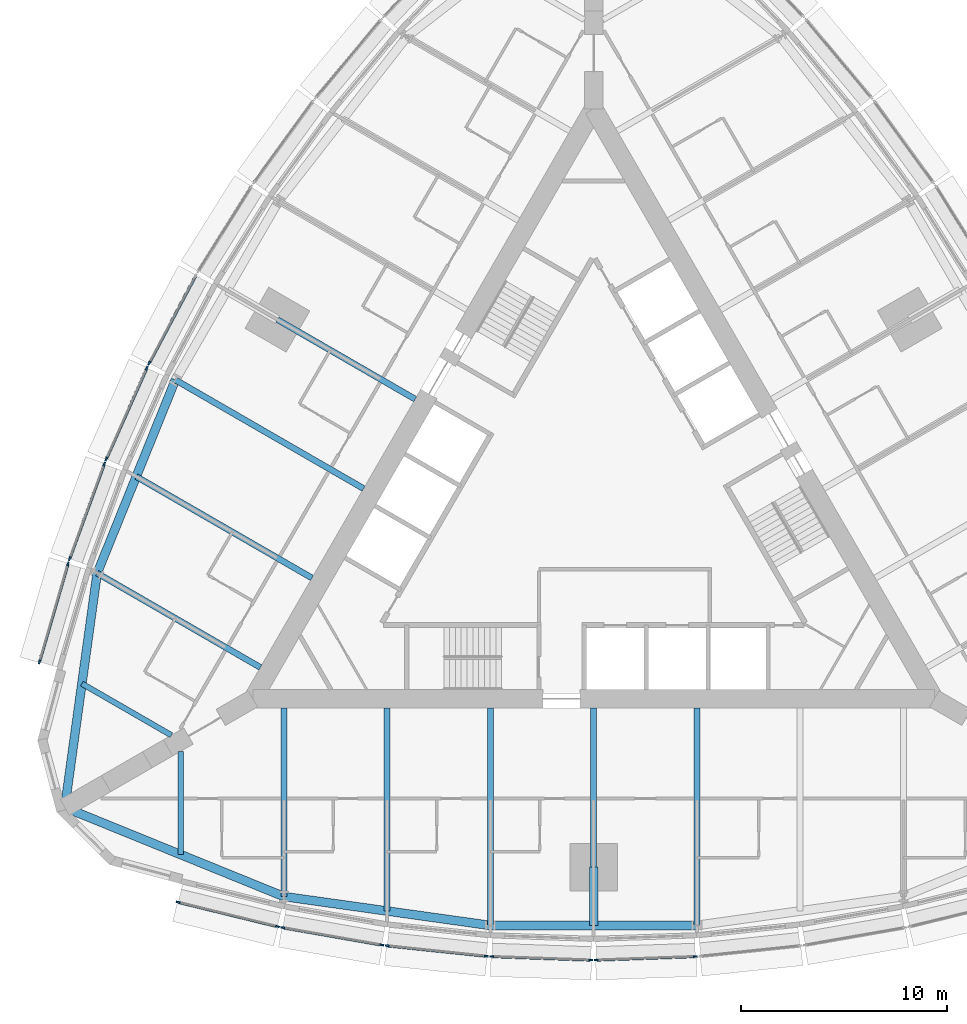
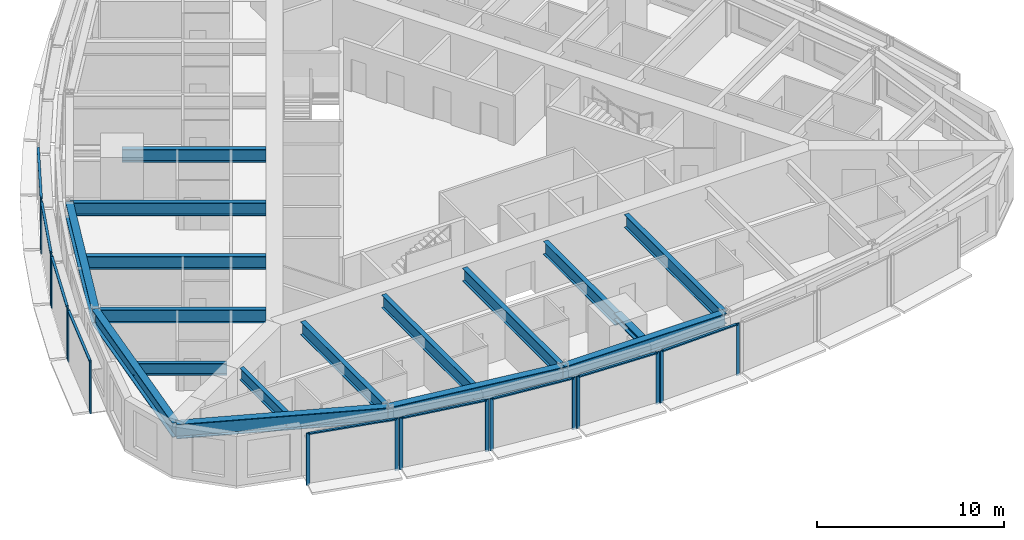
# One storey, part 2 of 14: 26 members, 17 beams, 9 elements without a shape of their own.
"""IFC4 building model written with IfcOpenShell, lengths in metres."""

from ifc_helpers import new_model, si_unit, direction, frame, origin, origin_2d, place, context, subcontext, project, spatial, rectangle, i_section, extrude, material, material_profile, profile_set, type_object, element, aggregate, save


model = new_model("IFC4")

# Units and contexts
model_context = context("Model", 3, precision=1e-05, world=origin(), true_north=direction((0.0, 1.0)))
body_context = subcontext(model_context, "Body", "Model", "MODEL_VIEW")
ifc_project = project(units=[si_unit("LENGTHUNIT", "METRE"), si_unit("AREAUNIT", "SQUARE_METRE"), si_unit("VOLUMEUNIT", "CUBIC_METRE"), si_unit("PLANEANGLEUNIT", "RADIAN"), si_unit("MASSUNIT", "GRAM", prefix="KILO")], contexts=[model_context])

# Site, building, storey
site_placement = place(None, origin())
site = spatial("IfcSite", under=ifc_project, at=site_placement, CompositionType="ELEMENT")
building_placement = place(site_placement, origin())
building = spatial("IfcBuilding", under=site, at=building_placement, Name="Trikona Tower", CompositionType="ELEMENT")
storey_placement = place(building_placement, frame((0.0, 0.0, 118.10009765625)))
storey = spatial("IfcBuildingStorey", under=building, at=storey_placement, Name="L30", CompositionType="ELEMENT", Elevation=118.10009765625)

# Curtain wall, members
ifc_material_1 = material(Name="Aluminium curtain wall system", Category="aluminium")
curtain_wall_type = type_object("IfcCurtainWallType", Name="Curtain wall DS2", PredefinedType="NOTDEFINED", material=ifc_material_1)
curtain_wall_1_placement = place(storey_placement, origin())
curtain_wall_1 = element("IfcCurtainWall", 1, at=curtain_wall_1_placement, inside=storey, type_object=curtain_wall_type, Name="Curtain wall DS2 L30", PredefinedType="NOTDEFINED")
ifc_material_2 = material(Name="Aluminium mullion, pale anodised", Category="aluminium")
ifc_material_profile_1 = material_profile(ifc_material_2, rectangle(XDim=0.080078125, YDim=0.199951171875, at=origin_2d()), Name="MUL-DS2")
ifc_profile_set_1 = profile_set([ifc_material_profile_1], Name="Aluminium mullion, pale anodised")
member_type_1 = type_object("IfcMemberType", Name="Mullion DS2 80x200", PredefinedType="MULLION", material=ifc_profile_set_1)
member_1_placement = place(storey_placement, frame((-20.116943359375, -19.373046875, 0.0), z_axis=(0.0, 0.0, 1.0), x_axis=(0.237970204243, 0.971272455026, 0.0)))
member_1 = element("IfcMember", 2, at=member_1_placement, type_object=member_type_1, Name="CW-DS2 mullion 1", PredefinedType="MULLION", context=body_context, shape_type="SweptSolid", body=[
    extrude(rectangle(XDim=0.080078125, YDim=0.199951171875, at=origin_2d()), origin(), (0.0, 0.0, 1.0), 3.39990234375),
])
member_2_placement = place(storey_placement, frame((-15.311279296875, -20.550537109375, 0.0), z_axis=(0.0, 0.0, 1.0), x_axis=(0.237970204243, 0.971272455026, 0.0)))
member_2 = element("IfcMember", 3, at=member_2_placement, type_object=member_type_1, Name="CW-DS2 mullion 2", PredefinedType="MULLION", context=body_context, shape_type="SweptSolid", body=[
    extrude(rectangle(XDim=0.080078125, YDim=0.199951171875, at=origin_2d()), origin(), (0.0, 0.0, 1.0), 3.39990234375),
])

curtain_wall_2_placement = place(storey_placement, origin())
curtain_wall_2 = element("IfcCurtainWall", 4, at=curtain_wall_2_placement, inside=storey, type_object=curtain_wall_type, Name="Curtain wall DS2 L30", PredefinedType="NOTDEFINED")
member_3_placement = place(storey_placement, frame((-15.056640625, -20.60400390625, 0.0), z_axis=(0.0, 0.0, 1.0), x_axis=(0.17237739505, 0.985030981074, 0.0)))
member_3 = element("IfcMember", 5, at=member_3_placement, type_object=member_type_1, Name="CW-DS2 mullion 1", PredefinedType="MULLION", context=body_context, shape_type="SweptSolid", body=[
    extrude(rectangle(XDim=0.080078125, YDim=0.199951171875, at=origin_2d()), origin(), (0.0, 0.0, 1.0), 3.39990234375),
])
member_4_placement = place(storey_placement, frame((-10.253662109375, -21.444580078125, 0.0), z_axis=(0.0, 0.0, 1.0), x_axis=(0.17237739505, 0.985030981074, 0.0)))
member_4 = element("IfcMember", 6, at=member_4_placement, type_object=member_type_1, Name="CW-DS2 mullion 2", PredefinedType="MULLION", context=body_context, shape_type="SweptSolid", body=[
    extrude(rectangle(XDim=0.080078125, YDim=0.199951171875, at=origin_2d()), origin(), (0.0, 0.0, 1.0), 3.39990234375),
])

curtain_wall_3_placement = place(storey_placement, origin())
curtain_wall_3 = element("IfcCurtainWall", 7, at=curtain_wall_3_placement, inside=storey, type_object=curtain_wall_type, Name="Curtain wall DS2 L30", PredefinedType="NOTDEFINED")
member_5_placement = place(storey_placement, frame((-9.99462890625, -21.480712890625, 0.0), z_axis=(0.0, 0.0, 1.0), x_axis=(0.104433387357, 0.994531883654, 0.0)))
member_5 = element("IfcMember", 8, at=member_5_placement, type_object=member_type_1, Name="CW-DS2 mullion 1", PredefinedType="MULLION", context=body_context, shape_type="SweptSolid", body=[
    extrude(rectangle(XDim=0.080078125, YDim=0.199951171875, at=origin_2d()), origin(), (0.0, 0.0, 1.0), 3.39990234375),
])
member_6_placement = place(storey_placement, frame((-5.193359375, -21.98486328125, 0.0), z_axis=(0.0, 0.0, 1.0), x_axis=(0.104433387357, 0.994531883654, 0.0)))
member_6 = element("IfcMember", 9, at=member_6_placement, type_object=member_type_1, Name="CW-DS2 mullion 2", PredefinedType="MULLION", context=body_context, shape_type="SweptSolid", body=[
    extrude(rectangle(XDim=0.080078125, YDim=0.199951171875, at=origin_2d()), origin(), (0.0, 0.0, 1.0), 3.39990234375),
])

curtain_wall_4_placement = place(storey_placement, origin())
curtain_wall_4 = element("IfcCurtainWall", 10, at=curtain_wall_4_placement, inside=storey, type_object=curtain_wall_type, Name="Curtain wall DS2 L30", PredefinedType="NOTDEFINED")
member_7_placement = place(storey_placement, frame((-4.931640625, -22.003173828125, 0.0), z_axis=(0.0, 0.0, 1.0), x_axis=(0.034998320052, 0.99938737114, 0.0)))
member_7 = element("IfcMember", 11, at=member_7_placement, type_object=member_type_1, Name="CW-DS2 mullion 1", PredefinedType="MULLION", context=body_context, shape_type="SweptSolid", body=[
    extrude(rectangle(XDim=0.080078125, YDim=0.199951171875, at=origin_2d()), origin(), (0.0, 0.0, 1.0), 3.39990234375),
])
member_8_placement = place(storey_placement, frame((-0.13134765625, -22.171142578125, 0.0), z_axis=(0.0, 0.0, 1.0), x_axis=(0.034998320052, 0.99938737114, 0.0)))
member_8 = element("IfcMember", 12, at=member_8_placement, type_object=member_type_1, Name="CW-DS2 mullion 2", PredefinedType="MULLION", context=body_context, shape_type="SweptSolid", body=[
    extrude(rectangle(XDim=0.080078125, YDim=0.199951171875, at=origin_2d()), origin(), (0.0, 0.0, 1.0), 3.39990234375),
])

curtain_wall_5_placement = place(storey_placement, origin())
curtain_wall_5 = element("IfcCurtainWall", 13, at=curtain_wall_5_placement, inside=storey, type_object=curtain_wall_type, Name="Curtain wall DS2 L30", PredefinedType="NOTDEFINED")
member_9_placement = place(storey_placement, frame((0.13134765625, -22.171142578125, 0.0), z_axis=(0.0, 0.0, 1.0), x_axis=(-0.034998320052, 0.99938737114, 0.0)))
member_9 = element("IfcMember", 14, at=member_9_placement, type_object=member_type_1, Name="CW-DS2 mullion 1", PredefinedType="MULLION", context=body_context, shape_type="SweptSolid", body=[
    extrude(rectangle(XDim=0.080078125, YDim=0.199951171875, at=origin_2d()), origin(), (0.0, 0.0, 1.0), 3.39990234375),
])
member_10_placement = place(storey_placement, frame((4.931640625, -22.003173828125, 0.0), z_axis=(0.0, 0.0, 1.0), x_axis=(-0.034998320052, 0.99938737114, 0.0)))
member_10 = element("IfcMember", 15, at=member_10_placement, type_object=member_type_1, Name="CW-DS2 mullion 2", PredefinedType="MULLION", context=body_context, shape_type="SweptSolid", body=[
    extrude(rectangle(XDim=0.080078125, YDim=0.199951171875, at=origin_2d()), origin(), (0.0, 0.0, 1.0), 3.39990234375),
])

# Curtain wall, member
curtain_wall_6_placement = place(storey_placement, origin())
curtain_wall_6 = element("IfcCurtainWall", 16, at=curtain_wall_6_placement, inside=storey, type_object=curtain_wall_type, Name="Curtain wall DS2 L30", PredefinedType="NOTDEFINED")
member_11_placement = place(storey_placement, frame((-21.52099609375, 6.730712890625, 0.0), z_axis=(0.0, 0.0, 1.0), x_axis=(0.882996107343, -0.469380308937, 0.0)))
member_11 = element("IfcMember", 17, at=member_11_placement, type_object=member_type_1, Name="CW-DS2 mullion 2", PredefinedType="MULLION", context=body_context, shape_type="SweptSolid", body=[
    extrude(rectangle(XDim=0.080078125, YDim=0.199951171875, at=origin_2d()), origin(), (0.0, 0.0, 1.0), 3.39990234375),
])

# Curtain wall, members
curtain_wall_7_placement = place(storey_placement, origin())
curtain_wall_7 = element("IfcCurtainWall", 18, at=curtain_wall_7_placement, inside=storey, type_object=curtain_wall_type, Name="Curtain wall DS2 L30", PredefinedType="NOTDEFINED")
member_12_placement = place(storey_placement, frame((-21.63623046875, 6.494873046875, 0.0), z_axis=(0.0, 0.0, 1.0), x_axis=(0.913501208767, -0.406836013132, 0.0)))
member_12 = element("IfcMember", 19, at=member_12_placement, type_object=member_type_1, Name="CW-DS2 mullion 1", PredefinedType="MULLION", context=body_context, shape_type="SweptSolid", body=[
    extrude(rectangle(XDim=0.080078125, YDim=0.199951171875, at=origin_2d()), origin(), (0.0, 0.0, 1.0), 3.39990234375),
])
member_13_placement = place(storey_placement, frame((-23.60009765625, 2.0849609375, 0.0), z_axis=(0.0, 0.0, 1.0), x_axis=(0.913501208767, -0.406836013132, 0.0)))
member_13 = element("IfcMember", 20, at=member_13_placement, type_object=member_type_1, Name="CW-DS2 mullion 2", PredefinedType="MULLION", context=body_context, shape_type="SweptSolid", body=[
    extrude(rectangle(XDim=0.080078125, YDim=0.199951171875, at=origin_2d()), origin(), (0.0, 0.0, 1.0), 3.39990234375),
])

curtain_wall_8_placement = place(storey_placement, origin())
curtain_wall_8 = element("IfcCurtainWall", 21, at=curtain_wall_8_placement, inside=storey, type_object=curtain_wall_type, Name="Curtain wall DS2 L30", PredefinedType="NOTDEFINED")
member_14_placement = place(storey_placement, frame((-23.6982421875, 1.84228515625, 0.0), z_axis=(0.0, 0.0, 1.0), x_axis=(0.939253790978, -0.343223420143, 0.0)))
member_14 = element("IfcMember", 22, at=member_14_placement, type_object=member_type_1, Name="CW-DS2 mullion 1", PredefinedType="MULLION", context=body_context, shape_type="SweptSolid", body=[
    extrude(rectangle(XDim=0.080078125, YDim=0.199951171875, at=origin_2d()), origin(), (0.0, 0.0, 1.0), 3.39990234375),
])
member_15_placement = place(storey_placement, frame((-25.371826171875, -2.737548828125, 0.0), z_axis=(0.0, 0.0, 1.0), x_axis=(0.939253790978, -0.343223420143, 0.0)))
member_15 = element("IfcMember", 23, at=member_15_placement, type_object=member_type_1, Name="CW-DS2 mullion 2", PredefinedType="MULLION", context=body_context, shape_type="SweptSolid", body=[
    extrude(rectangle(XDim=0.080078125, YDim=0.199951171875, at=origin_2d()), origin(), (0.0, 0.0, 1.0), 3.39990234375),
])

curtain_wall_9_placement = place(storey_placement, origin())
curtain_wall_9 = element("IfcCurtainWall", 24, at=curtain_wall_9_placement, inside=storey, type_object=curtain_wall_type, Name="Curtain wall DS2 L30", PredefinedType="NOTDEFINED")
member_16_placement = place(storey_placement, frame((-25.452880859375, -2.984619140625, 0.0), z_axis=(0.0, 0.0, 1.0), x_axis=(0.96013310152, -0.279543247757, 0.0)))
member_16 = element("IfcMember", 25, at=member_16_placement, type_object=member_type_1, Name="CW-DS2 mullion 1", PredefinedType="MULLION", context=body_context, shape_type="SweptSolid", body=[
    extrude(rectangle(XDim=0.080078125, YDim=0.199951171875, at=origin_2d()), origin(), (0.0, 0.0, 1.0), 3.39990234375),
])
member_17_placement = place(storey_placement, frame((-26.836181640625, -7.7353515625, 0.0), z_axis=(0.0, 0.0, 1.0), x_axis=(0.96013310152, -0.279543247757, 0.0)))
member_17 = element("IfcMember", 26, at=member_17_placement, type_object=member_type_1, Name="CW-DS2 mullion 2", PredefinedType="MULLION", context=body_context, shape_type="SweptSolid", body=[
    extrude(rectangle(XDim=0.080078125, YDim=0.199951171875, at=origin_2d()), origin(), (0.0, 0.0, 1.0), 3.39990234375),
])

# Beams
ifc_material_3 = material(Name="Steel ASTM A992 Grade 50", Category="steel")
ifc_material_profile_2 = material_profile(ifc_material_3, i_section(OverallWidth=0.419189453125, OverallDepth=0.45458984375, WebThickness=0.042236328125, FlangeThickness=0.067626953125, at=origin_2d()), Name="W14X370")
ifc_profile_set_2 = profile_set([ifc_material_profile_2], Name="Steel ASTM A992 Grade 50")
beam_type_1 = type_object("IfcBeamType", Name="Steel beam W14x370 (apex bracket)", PredefinedType="BEAM", material=ifc_profile_set_2)
beam_1_placement = place(storey_placement, frame((0.0, -17.680419921875, 3.007568359375), z_axis=(0.0, -1.0, 0.0), x_axis=(1.0, 0.0, 0.0)))
element("IfcBeam", 27, at=beam_1_placement, inside=storey, type_object=beam_type_1, Name="Cantilever bracket L31 F1", PredefinedType="BEAM", context=body_context, shape_type="SweptSolid", body=[
    extrude(i_section(OverallWidth=0.419189453125, OverallDepth=0.45458984375, WebThickness=0.042236328125, FlangeThickness=0.067626953125, at=origin_2d()), origin(), (0.0, 0.0, 1.0), 2.81982421875),
])
ifc_material_4 = material(Name="Steel ASTM A992 Grade 50", Category="steel")
ifc_material_profile_3 = material_profile(ifc_material_4, i_section(OverallWidth=0.2666015625, OverallDepth=0.76953125, WebThickness=0.015625, FlangeThickness=0.025390625, at=origin_2d()), Name="W30X132")
ifc_profile_set_3 = profile_set([ifc_material_profile_3], Name="Steel ASTM A992 Grade 50")
beam_type_2 = type_object("IfcBeamType", Name="Steel beam W30x132 (wedge)", PredefinedType="BEAM", material=ifc_profile_set_3)
beam_2_placement = place(storey_placement, frame((-20.0, -12.066650390625, 2.85009765625), z_axis=(0.0, -1.0, 0.0), x_axis=(1.0, 0.0, 0.0)))
element("IfcBeam", 28, at=beam_2_placement, inside=storey, type_object=beam_type_2, Name="Floor beam L31 F1 u-20", PredefinedType="BEAM", context=body_context, shape_type="SweptSolid", body=[
    extrude(i_section(OverallWidth=0.2666015625, OverallDepth=0.76953125, WebThickness=0.015625, FlangeThickness=0.025390625, at=origin_2d()), origin(), (0.0, 0.0, 1.0), 5.00048828125),
])
beam_3_placement = place(storey_placement, frame((-20.449951171875, -11.287109375, 2.85009765625), z_axis=(-0.866038434829, 0.49997742889, 0.0), x_axis=(-0.49997742889, -0.866038434829, 0.0)))
element("IfcBeam", 29, at=beam_3_placement, inside=storey, type_object=beam_type_2, Name="Floor beam L31 F3 u20", PredefinedType="BEAM", context=body_context, shape_type="SweptSolid", body=[
    extrude(i_section(OverallWidth=0.2666015625, OverallDepth=0.76953125, WebThickness=0.015625, FlangeThickness=0.025390625, at=origin_2d()), origin(), (0.0, 0.0, 1.0), 5.000732421875),
])
ifc_material_5 = material(Name="Steel ASTM A992 Grade 50", Category="steel")
ifc_material_profile_4 = material_profile(ifc_material_5, i_section(OverallWidth=0.2919921875, OverallDepth=0.845703125, WebThickness=0.015380859375, FlangeThickness=0.0244140625, at=origin_2d()), Name="W33X141")
ifc_profile_set_4 = profile_set([ifc_material_profile_4], Name="Steel ASTM A992 Grade 50")
beam_type_3 = type_object("IfcBeamType", Name="Steel beam W33x141 (radial typ)", PredefinedType="BEAM", material=ifc_profile_set_4)
beam_4_placement = place(storey_placement, frame((-15.0, -9.976318359375, 2.81201171875), z_axis=(0.0, -1.0, 0.0), x_axis=(1.0, 0.0, 0.0)))
element("IfcBeam", 30, at=beam_4_placement, inside=storey, type_object=beam_type_3, Name="Floor beam L31 F1 u-15", PredefinedType="BEAM", context=body_context, shape_type="SweptSolid", body=[
    extrude(i_section(OverallWidth=0.2919921875, OverallDepth=0.845703125, WebThickness=0.015380859375, FlangeThickness=0.0244140625, at=origin_2d()), origin(), (0.0, 0.0, 1.0), 9.123779296875),
])
beam_5_placement = place(storey_placement, frame((-10.0, -9.976318359375, 2.81201171875), z_axis=(0.0, -1.0, 0.0), x_axis=(1.0, 0.0, 0.0)))
element("IfcBeam", 31, at=beam_5_placement, inside=storey, type_object=beam_type_3, Name="Floor beam L31 F1 u-10", PredefinedType="BEAM", context=body_context, shape_type="SweptSolid", body=[
    extrude(i_section(OverallWidth=0.2919921875, OverallDepth=0.845703125, WebThickness=0.015380859375, FlangeThickness=0.0244140625, at=origin_2d()), origin(), (0.0, 0.0, 1.0), 9.823974609375),
])
beam_6_placement = place(storey_placement, frame((-5.0, -9.976318359375, 2.81201171875), z_axis=(0.0, -1.0, 0.0), x_axis=(1.0, 0.0, 0.0)))
element("IfcBeam", 32, at=beam_6_placement, inside=storey, type_object=beam_type_3, Name="Floor beam L31 F1 u-5", PredefinedType="BEAM", context=body_context, shape_type="SweptSolid", body=[
    extrude(i_section(OverallWidth=0.2919921875, OverallDepth=0.845703125, WebThickness=0.015380859375, FlangeThickness=0.0244140625, at=origin_2d()), origin(), (0.0, 0.0, 1.0), 10.52392578125),
])
beam_7_placement = place(storey_placement, frame((0.0, -9.976318359375, 2.81201171875), z_axis=(0.0, -1.0, 0.0), x_axis=(1.0, 0.0, 0.0)))
element("IfcBeam", 33, at=beam_7_placement, inside=storey, type_object=beam_type_3, Name="Floor beam L31 F1 u0", PredefinedType="BEAM", context=body_context, shape_type="SweptSolid", body=[
    extrude(i_section(OverallWidth=0.2919921875, OverallDepth=0.845703125, WebThickness=0.015380859375, FlangeThickness=0.0244140625, at=origin_2d()), origin(), (0.0, 0.0, 1.0), 7.7041015625),
])
beam_8_placement = place(storey_placement, frame((5.0, -9.976318359375, 2.81201171875), z_axis=(0.0, -1.0, 0.0), x_axis=(1.0, 0.0, 0.0)))
element("IfcBeam", 34, at=beam_8_placement, inside=storey, type_object=beam_type_3, Name="Floor beam L31 F1 u5", PredefinedType="BEAM", context=body_context, shape_type="SweptSolid", body=[
    extrude(i_section(OverallWidth=0.2919921875, OverallDepth=0.845703125, WebThickness=0.015380859375, FlangeThickness=0.0244140625, at=origin_2d()), origin(), (0.0, 0.0, 1.0), 10.52392578125),
])
beam_9_placement = place(storey_placement, frame((-8.6396484375, 4.988037109375, 2.81201171875), z_axis=(-0.866017246294, 0.500014128921, 0.0), x_axis=(-0.500014128921, -0.866017246294, 0.0)))
element("IfcBeam", 35, at=beam_9_placement, inside=storey, type_object=beam_type_3, Name="Floor beam L31 F3 u0", PredefinedType="BEAM", context=body_context, shape_type="SweptSolid", body=[
    extrude(i_section(OverallWidth=0.2919921875, OverallDepth=0.845703125, WebThickness=0.015380859375, FlangeThickness=0.0244140625, at=origin_2d()), origin(), (0.0, 0.0, 1.0), 7.704345703125),
])
beam_10_placement = place(storey_placement, frame((-11.1396484375, 0.657958984375, 2.81201171875), z_axis=(-0.866026035623, 0.499998905622, 0.0), x_axis=(-0.499998905622, -0.866026035623, 0.0)))
element("IfcBeam", 36, at=beam_10_placement, inside=storey, type_object=beam_type_3, Name="Floor beam L31 F3 u5", PredefinedType="BEAM", context=body_context, shape_type="SweptSolid", body=[
    extrude(i_section(OverallWidth=0.2919921875, OverallDepth=0.845703125, WebThickness=0.015380859375, FlangeThickness=0.0244140625, at=origin_2d()), origin(), (0.0, 0.0, 1.0), 10.52392578125),
])
beam_11_placement = place(storey_placement, frame((-13.6396484375, -3.672119140625, 2.81201171875), z_axis=(-0.866020046725, 0.500009278584, 0.0), x_axis=(-0.500009278584, -0.866020046725, 0.0)))
element("IfcBeam", 37, at=beam_11_placement, inside=storey, type_object=beam_type_3, Name="Floor beam L31 F3 u10", PredefinedType="BEAM", context=body_context, shape_type="SweptSolid", body=[
    extrude(i_section(OverallWidth=0.2919921875, OverallDepth=0.845703125, WebThickness=0.015380859375, FlangeThickness=0.0244140625, at=origin_2d()), origin(), (0.0, 0.0, 1.0), 9.823974609375),
])
beam_12_placement = place(storey_placement, frame((-16.1396484375, -8.002197265625, 2.81201171875), z_axis=(-0.866024725532, 0.500001174766, 0.0), x_axis=(-0.500001174766, -0.866024725532, 0.0)))
element("IfcBeam", 38, at=beam_12_placement, inside=storey, type_object=beam_type_3, Name="Floor beam L31 F3 u15", PredefinedType="BEAM", context=body_context, shape_type="SweptSolid", body=[
    extrude(i_section(OverallWidth=0.2919921875, OverallDepth=0.845703125, WebThickness=0.015380859375, FlangeThickness=0.0244140625, at=origin_2d()), origin(), (0.0, 0.0, 1.0), 9.1240234375),
])
ifc_material_6 = material(Name="Steel ASTM A992 Grade 50", Category="steel")
ifc_material_profile_5 = material_profile(ifc_material_6, i_section(OverallWidth=0.424072265625, OverallDepth=0.947509765625, WebThickness=0.02392578125, FlangeThickness=0.042724609375, at=origin_2d()), Name="W36X302")
ifc_profile_set_5 = profile_set([ifc_material_profile_5], Name="Steel ASTM A992 Grade 50")
beam_type_4 = type_object("IfcBeamType", Name="Steel beam W36x302 (spandrel)", PredefinedType="SPANDREL", material=ifc_profile_set_5)
beam_13_placement = place(storey_placement, frame((-25.6103515625, -14.7861328125, 2.76123046875), z_axis=(0.926359695662, -0.376640032728, 0.0), x_axis=(0.376640032728, 0.926359695662, 0.0)))
element("IfcBeam", 39, at=beam_13_placement, inside=storey, type_object=beam_type_4, Name="Spandrel beam L31 F1-1", PredefinedType="SPANDREL", context=body_context, shape_type="SweptSolid", body=[
    extrude(i_section(OverallWidth=0.424072265625, OverallDepth=0.947509765625, WebThickness=0.02392578125, FlangeThickness=0.042724609375, at=origin_2d()), origin(), (0.0, 0.0, 1.0), 11.453857421875),
])
beam_14_placement = place(storey_placement, frame((-15.0, -19.10009765625, 2.76123046875), z_axis=(0.990339754644, -0.13866207258, 0.0), x_axis=(0.13866207258, 0.990339754644, 0.0)))
element("IfcBeam", 40, at=beam_14_placement, inside=storey, type_object=beam_type_4, Name="Spandrel beam L31 F1-2", PredefinedType="SPANDREL", context=body_context, shape_type="SweptSolid", body=[
    extrude(i_section(OverallWidth=0.424072265625, OverallDepth=0.947509765625, WebThickness=0.02392578125, FlangeThickness=0.042724609375, at=origin_2d()), origin(), (0.0, 0.0, 1.0), 10.09765625),
])
beam_15_placement = place(storey_placement, frame((-5.0, -20.500244140625, 2.76123046875), z_axis=(1.0, 0.0, 0.0), x_axis=(0.0, 1.0, 0.0)))
element("IfcBeam", 41, at=beam_15_placement, inside=storey, type_object=beam_type_4, Name="Spandrel beam L31 F1-3", PredefinedType="SPANDREL", context=body_context, shape_type="SweptSolid", body=[
    extrude(i_section(OverallWidth=0.424072265625, OverallDepth=0.947509765625, WebThickness=0.02392578125, FlangeThickness=0.042724609375, at=origin_2d()), origin(), (0.0, 0.0, 1.0), 10.0),
])
beam_16_placement = place(storey_placement, frame((-20.253662109375, 5.919921875, 2.76123046875), z_axis=(-0.375106193787, -0.926981846307, 0.0), x_axis=(0.926981846307, -0.375106193787, 0.0)))
element("IfcBeam", 42, at=beam_16_placement, inside=storey, type_object=beam_type_4, Name="Spandrel beam L31 F3-4", PredefinedType="SPANDREL", context=body_context, shape_type="SweptSolid", body=[
    extrude(i_section(OverallWidth=0.424072265625, OverallDepth=0.947509765625, WebThickness=0.02392578125, FlangeThickness=0.042724609375, at=origin_2d()), origin(), (0.0, 0.0, 1.0), 10.097412109375),
])
beam_17_placement = place(storey_placement, frame((-24.041259765625, -3.440185546875, 2.76123046875), z_axis=(-0.136991535842, -0.990572218017, 0.0), x_axis=(0.990572218017, -0.136991535842, 0.0)))
element("IfcBeam", 43, at=beam_17_placement, inside=storey, type_object=beam_type_4, Name="Spandrel beam L31 F3-5", PredefinedType="SPANDREL", context=body_context, shape_type="SweptSolid", body=[
    extrude(i_section(OverallWidth=0.424072265625, OverallDepth=0.947509765625, WebThickness=0.02392578125, FlangeThickness=0.042724609375, at=origin_2d()), origin(), (0.0, 0.0, 1.0), 11.453857421875),
])

# Member
ifc_material_7 = material(Name="Aluminium transom, pale anodised", Category="aluminium")
ifc_material_profile_6 = material_profile(ifc_material_7, rectangle(XDim=0.139892578125, YDim=0.080078125, at=origin_2d()), Name="TRN-DS2")
ifc_profile_set_6 = profile_set([ifc_material_profile_6], Name="Aluminium transom, pale anodised")
member_type_2 = type_object("IfcMemberType", Name="Transom DS2 80x140", PredefinedType="USERDEFINED", material=ifc_profile_set_6)
member_18_placement = place(storey_placement, frame((-20.078125, -19.382568359375, 3.35986328125), z_axis=(0.971270583303, -0.237977843528, 0.0), x_axis=(0.237977843528, 0.971270583303, 0.0)))
member_18 = element("IfcMember", 44, at=member_18_placement, type_object=member_type_2, Name="CW-DS2 transom 1.1", ObjectType="TRANSOM", PredefinedType="USERDEFINED", context=body_context, shape_type="SweptSolid", body=[
    extrude(rectangle(XDim=0.139892578125, YDim=0.080078125, at=origin_2d()), origin(), (0.0, 0.0, 1.0), 4.867919921875),
])

aggregate(curtain_wall_1, [member_1, member_2, member_18])

member_19_placement = place(storey_placement, frame((-15.01708984375, -20.61083984375, 3.35986328125), z_axis=(0.98503262804, -0.172367983387, 0.0), x_axis=(0.172367983387, 0.98503262804, 0.0)))
member_19 = element("IfcMember", 45, at=member_19_placement, type_object=member_type_2, Name="CW-DS2 transom 1.1", ObjectType="TRANSOM", PredefinedType="USERDEFINED", context=body_context, shape_type="SweptSolid", body=[
    extrude(rectangle(XDim=0.139892578125, YDim=0.080078125, at=origin_2d()), origin(), (0.0, 0.0, 1.0), 4.7958984375),
])

aggregate(curtain_wall_2, [member_3, member_4, member_19])

member_20_placement = place(storey_placement, frame((-9.954833984375, -21.48486328125, 3.35986328125), z_axis=(0.99453106441, -0.104441188822, 0.0), x_axis=(0.104441188822, 0.99453106441, 0.0)))
member_20 = element("IfcMember", 46, at=member_20_placement, type_object=member_type_2, Name="CW-DS2 transom 1.1", ObjectType="TRANSOM", PredefinedType="USERDEFINED", context=body_context, shape_type="SweptSolid", body=[
    extrude(rectangle(XDim=0.139892578125, YDim=0.080078125, at=origin_2d()), origin(), (0.0, 0.0, 1.0), 4.74755859375),
])

aggregate(curtain_wall_3, [member_5, member_6, member_20])

member_21_placement = place(storey_placement, frame((-4.8916015625, -22.00439453125, 3.35986328125), z_axis=(0.999385692759, -0.035046213908, 0.0), x_axis=(0.035046213908, 0.999385692759, 0.0)))
member_21 = element("IfcMember", 47, at=member_21_placement, type_object=member_type_2, Name="CW-DS2 transom 1.1", ObjectType="TRANSOM", PredefinedType="USERDEFINED", context=body_context, shape_type="SweptSolid", body=[
    extrude(rectangle(XDim=0.139892578125, YDim=0.080078125, at=origin_2d()), origin(), (0.0, 0.0, 1.0), 4.72314453125),
])

aggregate(curtain_wall_4, [member_7, member_8, member_21])

member_22_placement = place(storey_placement, frame((0.17138671875, -22.169921875, 3.35986328125), z_axis=(0.999385692759, 0.035046213908, 0.0), x_axis=(-0.035046213908, 0.999385692759, 0.0)))
member_22 = element("IfcMember", 48, at=member_22_placement, type_object=member_type_2, Name="CW-DS2 transom 1.1", ObjectType="TRANSOM", PredefinedType="USERDEFINED", context=body_context, shape_type="SweptSolid", body=[
    extrude(rectangle(XDim=0.139892578125, YDim=0.080078125, at=origin_2d()), origin(), (0.0, 0.0, 1.0), 4.72314453125),
])

aggregate(curtain_wall_5, [member_9, member_10, member_22])

member_23_placement = place(storey_placement, frame((-19.285400390625, 10.9365234375, 3.35986328125), z_axis=(-0.469364343408, -0.883004594063, 0.0), x_axis=(0.883004594063, -0.469364343408, 0.0)))
member_23 = element("IfcMember", 49, at=member_23_placement, type_object=member_type_2, Name="CW-DS2 transom 1.1", ObjectType="TRANSOM", PredefinedType="USERDEFINED", context=body_context, shape_type="SweptSolid", body=[
    extrude(rectangle(XDim=0.139892578125, YDim=0.080078125, at=origin_2d()), origin(), (0.0, 0.0, 1.0), 4.722900390625),
])

aggregate(curtain_wall_6, [member_11, member_23])

member_24_placement = place(storey_placement, frame((-21.65234375, 6.458251953125, 3.35986328125), z_axis=(-0.406839769607, -0.913499535778, 0.0), x_axis=(0.913499535778, -0.406839769607, 0.0)))
member_24 = element("IfcMember", 50, at=member_24_placement, type_object=member_type_2, Name="CW-DS2 transom 1.1", ObjectType="TRANSOM", PredefinedType="USERDEFINED", context=body_context, shape_type="SweptSolid", body=[
    extrude(rectangle(XDim=0.139892578125, YDim=0.080078125, at=origin_2d()), origin(), (0.0, 0.0, 1.0), 4.747314453125),
])

aggregate(curtain_wall_7, [member_12, member_13, member_24])

member_25_placement = place(storey_placement, frame((-23.712158203125, 1.8046875, 3.35986328125), z_axis=(-0.343205907674, -0.939260190223, 0.0), x_axis=(0.939260190223, -0.343205907674, 0.0)))
member_25 = element("IfcMember", 51, at=member_25_placement, type_object=member_type_2, Name="CW-DS2 transom 1.1", ObjectType="TRANSOM", PredefinedType="USERDEFINED", context=body_context, shape_type="SweptSolid", body=[
    extrude(rectangle(XDim=0.139892578125, YDim=0.080078125, at=origin_2d()), origin(), (0.0, 0.0, 1.0), 4.7958984375),
])

aggregate(curtain_wall_8, [member_14, member_15, member_25])

member_26_placement = place(storey_placement, frame((-25.464111328125, -3.023193359375, 3.35986328125), z_axis=(-0.279566628153, -0.960126293996, 0.0), x_axis=(0.960126293996, -0.279566628153, 0.0)))
member_26 = element("IfcMember", 52, at=member_26_placement, type_object=member_type_2, Name="CW-DS2 transom 1.1", ObjectType="TRANSOM", PredefinedType="USERDEFINED", context=body_context, shape_type="SweptSolid", body=[
    extrude(rectangle(XDim=0.139892578125, YDim=0.080078125, at=origin_2d()), origin(), (0.0, 0.0, 1.0), 4.86767578125),
])

aggregate(curtain_wall_9, [member_16, member_17, member_26])

save(model, "model.ifc")
